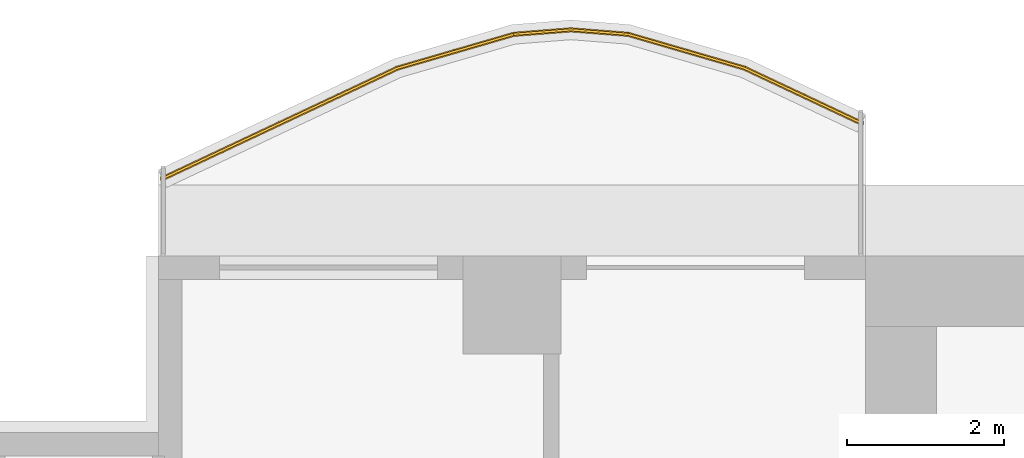
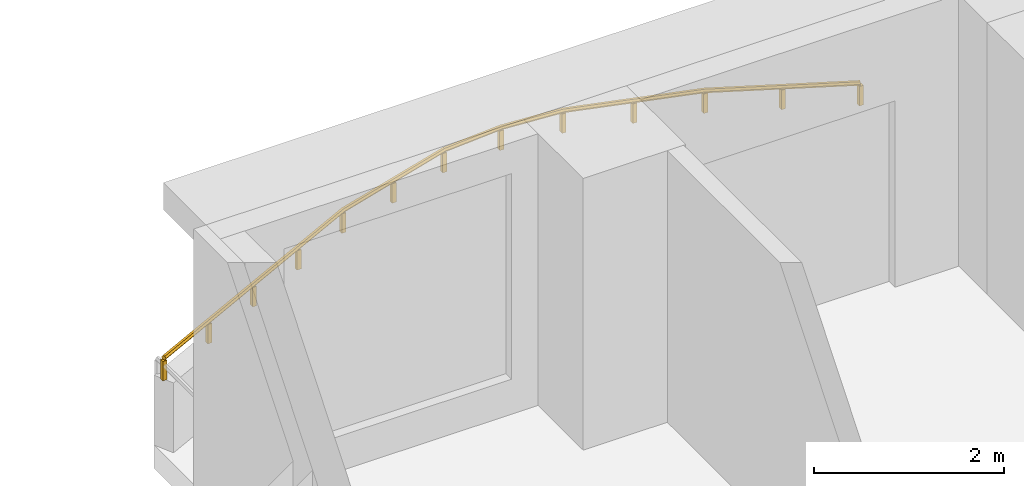
# One storey, part 13 of 14: 1 railing.
"""IFC4 building model written with IfcOpenShell, lengths in metres."""

from ifc_helpers import new_model, si_unit, direction, frame, origin, origin_2d, place, context, subcontext, project, spatial, polyline, rectangle, outline, extrude, material, type_object, element, save


model = new_model("IFC4")

# Units and contexts
model_context = context("Model", 3, precision=1e-05, world=origin(), true_north=direction((0.0, 1.0)))
body_context = subcontext(model_context, "Body", "Model", "MODEL_VIEW")
ifc_project = project(units=[si_unit("LENGTHUNIT", "METRE"), si_unit("AREAUNIT", "SQUARE_METRE"), si_unit("VOLUMEUNIT", "CUBIC_METRE"), si_unit("PLANEANGLEUNIT", "RADIAN"), si_unit("MASSUNIT", "GRAM", prefix="KILO")], contexts=[model_context])

# Site, building, storey
site_placement = place(None, origin())
site = spatial("IfcSite", under=ifc_project, at=site_placement, CompositionType="ELEMENT")
building_placement = place(site_placement, origin())
building = spatial("IfcBuilding", under=site, at=building_placement, Name="Orbiselva Terraces", CompositionType="ELEMENT")
storey_placement = place(building_placement, frame((0.0, 0.0, 107.4)))
storey = spatial("IfcBuildingStorey", under=building, at=storey_placement, Name="L27", CompositionType="ELEMENT", Elevation=107.4)

# Railing
ifc_material = material(Name="Bonded two-ply safety glass balustrade, stainless steel posts", Category="steel")
railing_type = type_object("IfcRailingType", Name="ENV-BALUSTRADE-1200", PredefinedType="BALUSTRADE", material=ifc_material)
railing_placement = place(storey_placement, frame((-13.553191, 24.186882, 0.9)))
element("IfcRailing", 1, at=railing_placement, inside=storey, type_object=railing_type, Name="Balcony balustrade L27 NW", PredefinedType="BALUSTRADE", context=body_context, shape_type="SweptSolid", body=[
    extrude(outline(polyline([(0.028868, 0.0), (0.014434, 0.025), (-0.014434, 0.025), (-0.028868, 0.0), (-0.014434, -0.025), (0.014434, -0.025), (0.028868, 0.0)])), frame((0.0, 0.0, 0.275), z_axis=(-0.904944359461, 0.425529912322, 0.0), x_axis=(-0.425529912322, -0.904944359461, 0.0)), (0.0, 0.0, 1.0), 1.647746),
    extrude(outline(polyline([(0.028868, 0.0), (0.014434, 0.025), (-0.014434, 0.025), (-0.028868, 0.0), (-0.014434, -0.025), (0.014434, -0.025), (0.028868, 0.0)])), frame((-1.491118, 0.701165, 0.275), z_axis=(-0.960270317007, 0.279071528957, 0.0), x_axis=(-0.279071528957, -0.960270317007, 0.0)), (0.0, 0.0, 1.0), 1.539408),
    extrude(outline(polyline([(0.028868, 0.0), (0.014434, 0.025), (-0.014434, 0.025), (-0.028868, 0.0), (-0.014434, -0.025), (0.014434, -0.025), (0.028868, 0.0)])), frame((-2.969366, 1.13077, 0.275), z_axis=(-0.996947916106, 0.078069536776, 0.0), x_axis=(-0.078069536776, -0.996947916106, 0.0)), (0.0, 0.0, 1.0), 0.72967),
    extrude(outline(polyline([(0.028868, 0.0), (0.014434, 0.025), (-0.014434, 0.025), (-0.028868, 0.0), (-0.014434, -0.025), (0.014434, -0.025), (0.028868, 0.0)])), frame((-3.696809, 1.187735, 0.275), z_axis=(-0.996947916106, -0.078069536776, 0.0), x_axis=(0.078069536776, -0.996947916106, 0.0)), (0.0, 0.0, 1.0), 0.72967),
    extrude(outline(polyline([(0.028868, 0.0), (0.014434, 0.025), (-0.014434, 0.025), (-0.028868, 0.0), (-0.014434, -0.025), (0.014434, -0.025), (0.028868, 0.0)])), frame((-4.424252, 1.13077, 0.275), z_axis=(-0.960270317007, -0.279071528957, 0.0), x_axis=(0.279071528957, -0.960270317007, 0.0)), (0.0, 0.0, 1.0), 1.539408),
    extrude(outline(polyline([(0.028868, 0.0), (0.014434, 0.025), (-0.014434, 0.025), (-0.028868, 0.0), (-0.014434, -0.025), (0.014434, -0.025), (0.028868, 0.0)])), frame((-5.9025, 0.701165, 0.275), z_axis=(-0.904944359461, -0.425529912322, 0.0), x_axis=(0.425529912322, -0.904944359461, 0.0)), (0.0, 0.0, 1.0), 1.647746),
    extrude(outline(polyline([(0.028868, 0.0), (0.014434, 0.025), (-0.014434, 0.025), (-0.028868, 0.0), (-0.014434, -0.025), (0.014434, -0.025), (0.028868, 0.0)])), frame((-7.393618, 0.0, 0.275), z_axis=(-0.904944257823, -0.425530128467, 0.0), x_axis=(0.425530128467, -0.904944257823, 0.0)), (0.0, 0.0, 1.0), 1.657561),
    extrude(rectangle(XDim=0.05, YDim=0.05, at=origin_2d()), origin(), (0.0, 0.0, 1.0), 0.25),
    extrude(rectangle(XDim=0.05, YDim=0.05, at=origin_2d()), frame((-0.745559, 0.350582, 0.0)), (0.0, 0.0, 1.0), 0.25),
    extrude(rectangle(XDim=0.05, YDim=0.05, at=origin_2d()), frame((-1.491118, 0.701165, 0.0)), (0.0, 0.0, 1.0), 0.25),
    extrude(rectangle(XDim=0.05, YDim=0.05, at=origin_2d()), frame((-2.230242, 0.915967, 0.0)), (0.0, 0.0, 1.0), 0.25),
    extrude(rectangle(XDim=0.05, YDim=0.05, at=origin_2d()), frame((-2.969366, 1.13077, 0.0)), (0.0, 0.0, 1.0), 0.25),
    extrude(rectangle(XDim=0.05, YDim=0.05, at=origin_2d()), frame((-3.696809, 1.187735, 0.0)), (0.0, 0.0, 1.0), 0.25),
    extrude(rectangle(XDim=0.05, YDim=0.05, at=origin_2d()), frame((-4.424252, 1.13077, 0.0)), (0.0, 0.0, 1.0), 0.25),
    extrude(rectangle(XDim=0.05, YDim=0.05, at=origin_2d()), frame((-5.163376, 0.915967, 0.0)), (0.0, 0.0, 1.0), 0.25),
    extrude(rectangle(XDim=0.05, YDim=0.05, at=origin_2d()), frame((-5.9025, 0.701165, 0.0)), (0.0, 0.0, 1.0), 0.25),
    extrude(rectangle(XDim=0.05, YDim=0.05, at=origin_2d()), frame((-6.648059, 0.350582, 0.0)), (0.0, 0.0, 1.0), 0.25),
    extrude(rectangle(XDim=0.05, YDim=0.05, at=origin_2d()), frame((-7.393618, 0.0, 0.0)), (0.0, 0.0, 1.0), 0.25),
    extrude(rectangle(XDim=0.05, YDim=0.05, at=origin_2d()), frame((-8.143618, -0.352671, 0.0)), (0.0, 0.0, 1.0), 0.25),
    extrude(rectangle(XDim=0.05, YDim=0.05, at=origin_2d()), frame((-8.893618, -0.705342, 0.0)), (0.0, 0.0, 1.0), 0.25),
])

save(model, "model.ifc")
